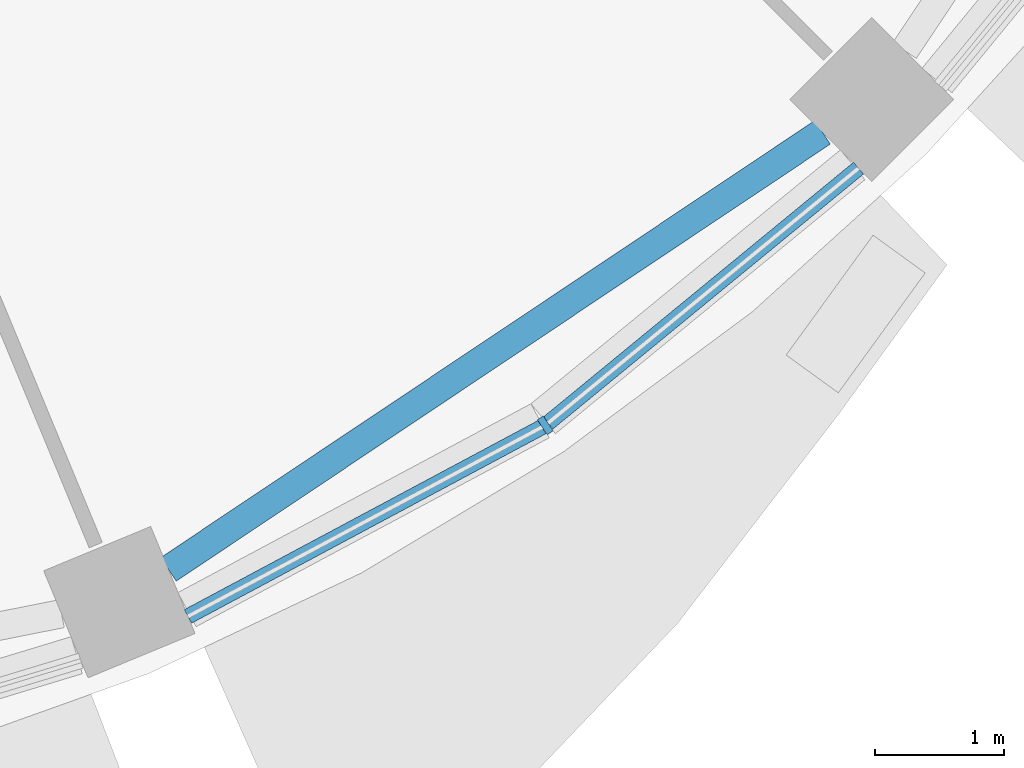
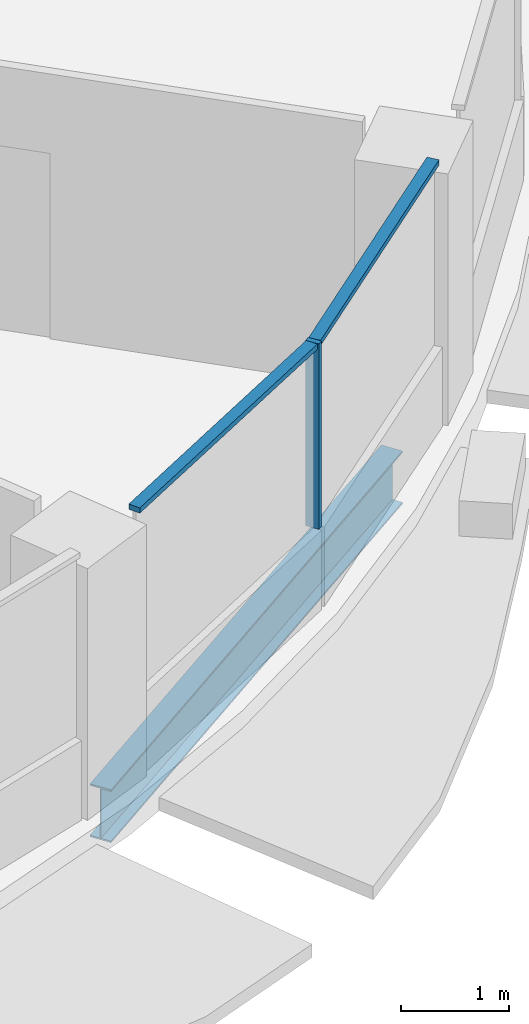
# One storey, part 3 of 15: 3 members, 1 beam, 1 element without a shape of its own.
"""IFC4 building model written with IfcOpenShell, lengths in metres."""

from ifc_helpers import new_model, si_unit, direction, frame, origin, origin_2d, place, context, subcontext, project, spatial, rectangle, i_section, extrude, material, material_profile, profile_set, type_object, element, aggregate, save


model = new_model("IFC4")

# Units and contexts
model_context = context("Model", 3, precision=1e-05, world=origin(), true_north=direction((0.0, 1.0)))
body_context = subcontext(model_context, "Body", "Model", "MODEL_VIEW")
ifc_project = project(units=[si_unit("LENGTHUNIT", "METRE"), si_unit("AREAUNIT", "SQUARE_METRE"), si_unit("VOLUMEUNIT", "CUBIC_METRE"), si_unit("PLANEANGLEUNIT", "RADIAN"), si_unit("MASSUNIT", "GRAM", prefix="KILO")], contexts=[model_context])

# Site, building, storey
site_placement = place(None, origin())
site = spatial("IfcSite", under=ifc_project, at=site_placement, CompositionType="ELEMENT")
building_placement = place(site_placement, origin())
building = spatial("IfcBuilding", under=site, at=building_placement, Name="Polderwave Tower", CompositionType="ELEMENT")
storey_placement = place(building_placement, frame((0.0, 0.0, 180.949951171875)))
storey = spatial("IfcBuildingStorey", under=building, at=storey_placement, Name="L48", CompositionType="ELEMENT", Elevation=180.949951171875)

# Curtain wall, members
ifc_material_1 = material(Name="Aluminium 6063-T6 and glass", Category="aluminium")
curtain_wall_type = type_object("IfcCurtainWallType", Name="Office ribbon glazing wall", PredefinedType="NOTDEFINED", material=ifc_material_1)
curtain_wall_placement = place(storey_placement, origin())
curtain_wall = element("IfcCurtainWall", 1, at=curtain_wall_placement, inside=storey, type_object=curtain_wall_type, Name="CW3 L48 13", PredefinedType="NOTDEFINED")
ifc_material_2 = material(Name="Aluminium 6063-T6", Category="aluminium")
ifc_material_profile_1 = material_profile(ifc_material_2, rectangle(XDim=0.139892578125, YDim=0.054931640625, at=origin_2d()), Name="AL 55x140")
ifc_profile_set_1 = profile_set([ifc_material_profile_1], Name="Aluminium 6063-T6")
member_type_1 = type_object("IfcMemberType", Name="Office ribbon glazing mullion 55x140", PredefinedType="MULLION", material=ifc_profile_set_1)
member_1_placement = place(storey_placement, frame((10.2060546875, -15.27392578125, 0.900146484375), z_axis=(0.0, 0.0, 1.0), x_axis=(-0.555695028949, 0.83138621278, 0.0)))
member_1 = element("IfcMember", 2, at=member_1_placement, type_object=member_type_1, Name="CW3 mullion 1", PredefinedType="MULLION", context=body_context, shape_type="SweptSolid", body=[
    extrude(rectangle(XDim=0.139892578125, YDim=0.054931640625, at=origin_2d()), origin(), (0.0, 0.0, 1.0), 2.099853515625),
])
ifc_material_profile_2 = material_profile(ifc_material_2, rectangle(XDim=0.1201171875, YDim=0.06005859375, at=origin_2d()), Name="AL 60x120")
ifc_profile_set_2 = profile_set([ifc_material_profile_2], Name="Aluminium 6063-T6")
member_type_2 = type_object("IfcMemberType", Name="Office ribbon glazing transom 60x120", PredefinedType="USERDEFINED", material=ifc_profile_set_2)
member_2_placement = place(storey_placement, frame((7.428955078125, -16.759033203125, 2.969970703125), z_axis=(0.881843639601, 0.471541933761, 0.0), x_axis=(-0.471541933761, 0.881843639601, 0.0)))
member_2 = element("IfcMember", 3, at=member_2_placement, type_object=member_type_2, Name="CW3 transom 1", ObjectType="TRANSOM", PredefinedType="USERDEFINED", context=body_context, shape_type="SweptSolid", body=[
    extrude(rectangle(XDim=0.1201171875, YDim=0.06005859375, at=origin_2d()), origin(), (0.0, 0.0, 1.0), 3.12158203125),
])
member_3_placement = place(storey_placement, frame((10.227294921875, -15.256591796875, 2.969970703125), z_axis=(0.772893374383, 0.634535918475, 0.0), x_axis=(-0.634535918475, 0.772893374383, 0.0)))
member_3 = element("IfcMember", 4, at=member_3_placement, type_object=member_type_2, Name="CW3 transom 2", ObjectType="TRANSOM", PredefinedType="USERDEFINED", context=body_context, shape_type="SweptSolid", body=[
    extrude(rectangle(XDim=0.1201171875, YDim=0.06005859375, at=origin_2d()), origin(), (0.0, 0.0, 1.0), 3.12158203125),
])
aggregate(curtain_wall, [member_1, member_2, member_3])

# Beam
ifc_material_3 = material(Name="Steel S355", Category="steel")
ifc_material_profile_3 = material_profile(ifc_material_3, i_section(OverallWidth=0.219970703125, OverallDepth=0.60009765625, WebThickness=0.011962890625, FlangeThickness=0.01904296875, at=origin_2d()), Name="IPE 600")
ifc_profile_set_3 = profile_set([ifc_material_profile_3], Name="Steel S355")
beam_type = type_object("IfcBeamType", Name="RING BEAM IPE 600", PredefinedType="BEAM", material=ifc_profile_set_3)
beam_placement = place(storey_placement, frame((7.27734375, -16.393310546875, -0.64990234375), z_axis=(0.831490778911, 0.555538553645, 0.0), x_axis=(-0.555538553645, 0.831490778911, 0.0)))
element("IfcBeam", 5, at=beam_placement, inside=storey, type_object=beam_type, Name="ST-RB-L48-13", PredefinedType="BEAM", context=body_context, shape_type="SweptSolid", body=[
    extrude(i_section(OverallWidth=0.219970703125, OverallDepth=0.60009765625, WebThickness=0.011962890625, FlangeThickness=0.01904296875, at=origin_2d()), origin(), (0.0, 0.0, 1.0), 6.113525390625),
])

save(model, "model.ifc")
